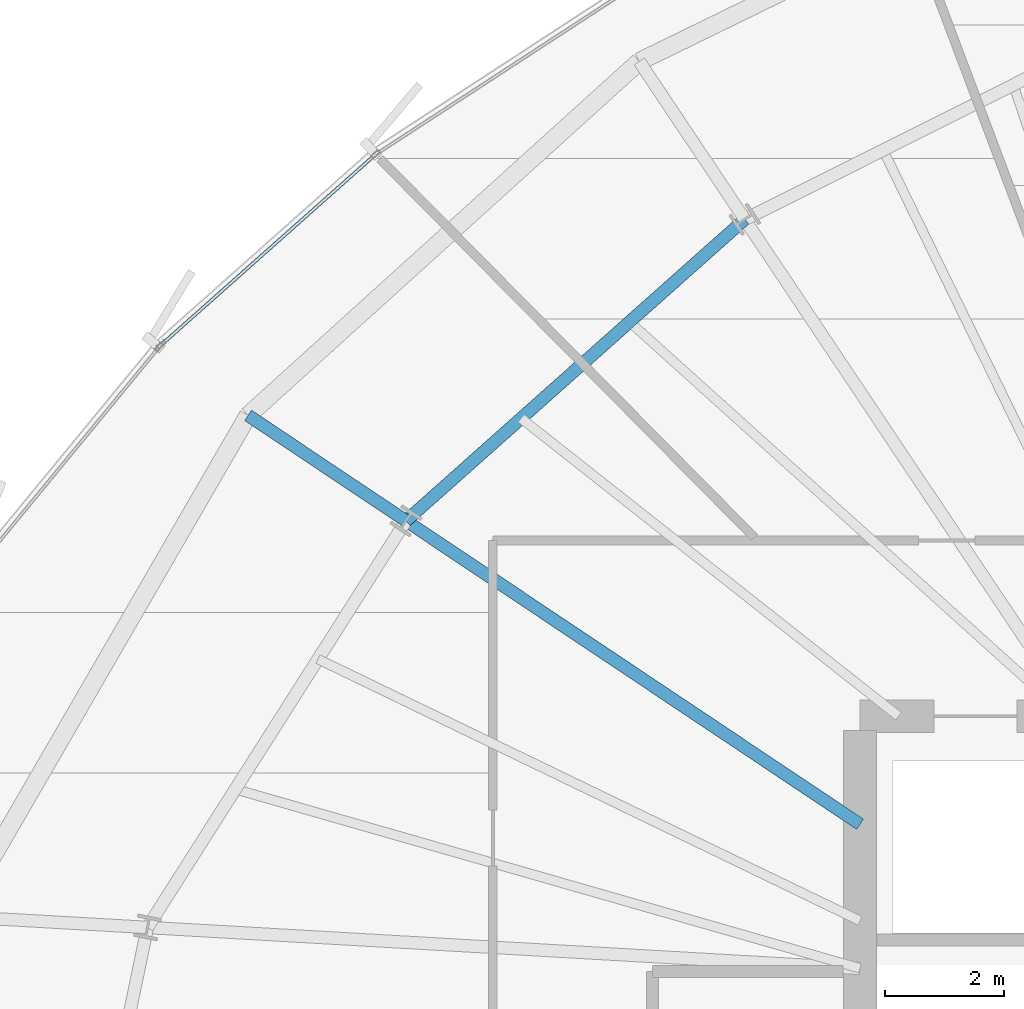
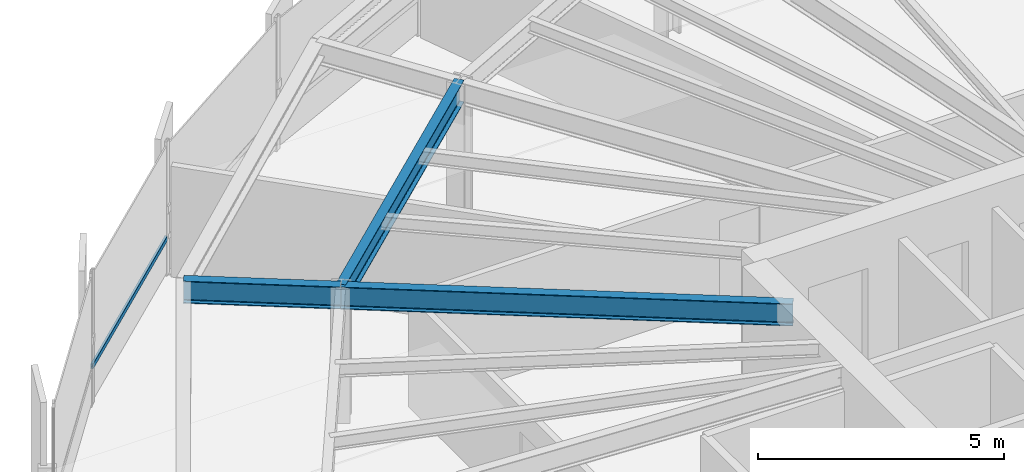
# One storey, part 18 of 33: 3 beams, 1 member, 1 element without a shape of its own.
"""IFC4 building model written with IfcOpenShell, lengths in metres."""

from ifc_helpers import new_model, si_unit, direction, frame, origin, origin_2d, place, context, subcontext, project, spatial, hollow_rectangle, i_section, extrude, source, transform, mapped, material, layer, layer_set, material_profile, profile_set, type_object, element, aggregate, save


model = new_model("IFC4")

# Units and contexts
model_context = context("Model", 3, precision=1e-05, world=origin(), true_north=direction((0.0, 1.0)))
body_context = subcontext(model_context, "Body", "Model", "MODEL_VIEW")
ifc_project = project(units=[si_unit("LENGTHUNIT", "METRE"), si_unit("AREAUNIT", "SQUARE_METRE"), si_unit("VOLUMEUNIT", "CUBIC_METRE"), si_unit("PLANEANGLEUNIT", "RADIAN"), si_unit("MASSUNIT", "GRAM", prefix="KILO"), si_unit("THERMODYNAMICTEMPERATUREUNIT", "KELVIN")], contexts=[model_context])

# Site, building, storey
site_placement = place(None, origin())
site = spatial("IfcSite", under=ifc_project, at=site_placement, CompositionType="ELEMENT")
building_placement = place(site_placement, origin())
building = spatial("IfcBuilding", under=site, at=building_placement, Name="Kethvar Cultural Tower", CompositionType="ELEMENT")
storey_placement = place(building_placement, frame((0.0, 0.0, 118.0)))
storey = spatial("IfcBuildingStorey", under=building, at=storey_placement, Name="L29", CompositionType="ELEMENT", Elevation=118.0)

# Beams
ifc_material_1 = material(Name="Steel S355J2", Category="steel")
ifc_material_profile_1 = material_profile(ifc_material_1, i_section(OverallWidth=0.2099609375, OverallDepth=0.550048828125, WebThickness=0.010986328125, FlangeThickness=0.01708984375, FilletRadius=0.02392578125, at=origin_2d()), Name="Steel S355J2 — IPE550")
ifc_profile_set_1 = profile_set([ifc_material_profile_1], Name="Steel S355J2 — IPE550")
beam_type = type_object("IfcBeamType", Name="BM-IPE550", PredefinedType="BEAM", material=ifc_profile_set_1)
shared_shape_1 = source(origin(), body_context, "Body", "SweptSolid", [
    extrude(i_section(OverallWidth=0.2099609375, OverallDepth=0.550048828125, WebThickness=0.010986328125, FlangeThickness=0.01708984375, FilletRadius=0.02392578125, at=origin_2d()), origin(), (0.0, 0.0, 1.0), 3.199951171875),
])
beam_1_placement = place(storey_placement, frame((30.345947265625, 38.794189453125, 3.072998046875), z_axis=(-0.831462943996, 0.555580212716, 0.0), x_axis=(-0.555580212716, -0.831462943996, 0.0)))
element("IfcBeam", 1, at=beam_1_placement, inside=storey, type_object=beam_type, Name="L29 Perimeter Cantilever Beam RC-07", PredefinedType="BEAM", context=body_context, shape_type="MappedRepresentation", body=[
    mapped(shared_shape_1, transform((0.0, 0.0, 0.0), scale=1.0)),
])
shared_shape_2 = source(origin(), body_context, "Body", "SweptSolid", [
    extrude(i_section(OverallWidth=0.2099609375, OverallDepth=0.550048828125, WebThickness=0.010986328125, FlangeThickness=0.01708984375, FilletRadius=0.02392578125, at=origin_2d()), origin(), (0.0, 0.0, 1.0), 9.205322265625),
])
beam_2_placement = place(storey_placement, frame((38.0, 33.679931640625, 3.072998046875), z_axis=(-0.831470451236, 0.555568977465, 0.0), x_axis=(-0.555568977465, -0.831470451236, 0.0)))
element("IfcBeam", 2, at=beam_2_placement, inside=storey, type_object=beam_type, Name="L29 Primary Radial Beam RB-07", PredefinedType="BEAM", context=body_context, shape_type="MappedRepresentation", body=[
    mapped(shared_shape_2, transform((0.0, 0.0, 0.0), scale=1.0)),
])
shared_shape_3 = source(origin(), body_context, "Body", "SweptSolid", [
    extrude(i_section(OverallWidth=0.2099609375, OverallDepth=0.550048828125, WebThickness=0.010986328125, FlangeThickness=0.01708984375, FilletRadius=0.02392578125, at=origin_2d()), origin(), (0.0, 0.0, 1.0), 7.64599609375),
])
beam_3_placement = place(storey_placement, frame((36.0576171875, 43.877197265625, 3.072998046875), z_axis=(-0.747021617367, -0.66479974668, 0.0), x_axis=(0.66479974668, -0.747021617367, 0.0)))
element("IfcBeam", 3, at=beam_3_placement, inside=storey, type_object=beam_type, Name="L29 Column Ring Tie Beam CR-06", PredefinedType="BEAM", context=body_context, shape_type="MappedRepresentation", body=[
    mapped(shared_shape_3, transform((0.0, 0.0, 0.0), scale=1.0)),
])

# Curtain wall, member
ifc_material_2 = material(Name="Aluminium 6063-T6", Category="aluminium")
ifc_layer = layer(ifc_material_2, 0.179931640625, Name="Aluminium 6063-T6", Category="aluminium")
ifc_layer_set = layer_set([ifc_layer], Name="Aluminium 6063-T6 (180 mm)")
curtain_wall_type = type_object("IfcCurtainWallType", Name="CW-SYS-03-Z2", PredefinedType="NOTDEFINED", material=ifc_layer_set)
curtain_wall_placement = place(storey_placement, origin())
curtain_wall = element("IfcCurtainWall", 4, at=curtain_wall_placement, inside=storey, type_object=curtain_wall_type, Name="L29 Curtain Wall Run 02", PredefinedType="NOTDEFINED")
ifc_material_profile_2 = material_profile(ifc_material_2, hollow_rectangle(XDim=0.054931640625, YDim=0.1201171875, WallThickness=0.00390625, at=origin_2d()), Name="Aluminium 6063-T6 — RHS120x55x4")
ifc_profile_set_2 = profile_set([ifc_material_profile_2], Name="Aluminium 6063-T6 — RHS120x55x4")
member_type = type_object("IfcMemberType", Name="CW-SYS-03-Z2-TRN", PredefinedType="USERDEFINED", material=ifc_profile_set_2)
shared_shape_4 = source(origin(), body_context, "Body", "SweptSolid", [
    extrude(hollow_rectangle(XDim=0.054931640625, YDim=0.1201171875, WallThickness=0.00390625, at=origin_2d()), origin(), (0.0, 0.0, 1.0), 4.78076171875),
])
member_placement = place(storey_placement, frame((29.801513671875, 44.943115234375, 0.949951171875), z_axis=(-0.747572711107, -0.664179976819, 0.0), x_axis=(0.664179976819, -0.747572711107, 0.0)))
member = element("IfcMember", 5, at=member_placement, type_object=member_type, Name="CW-L29-R02 Transom 6", ObjectType="TRANSOM", PredefinedType="USERDEFINED", context=body_context, shape_type="MappedRepresentation", body=[
    mapped(shared_shape_4, transform((0.0, 0.0, 0.0), scale=1.0)),
])
aggregate(curtain_wall, [member])

save(model, "model.ifc")
